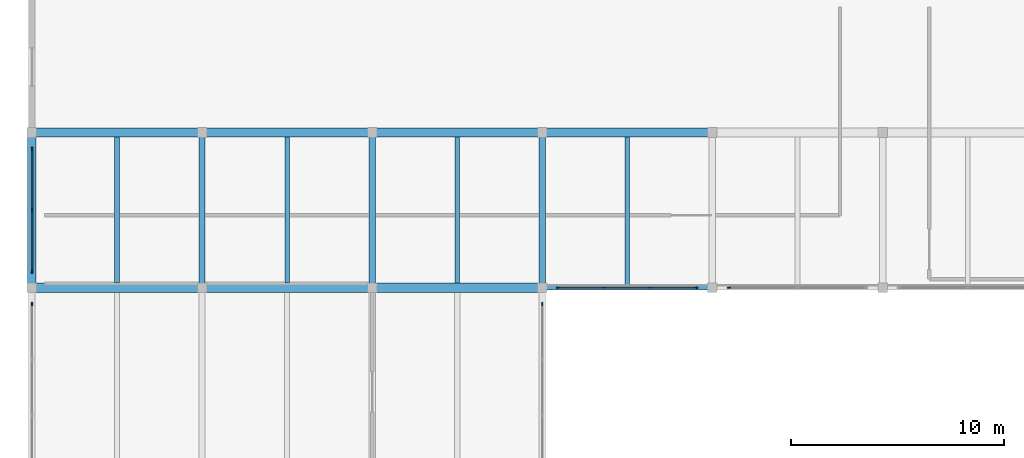
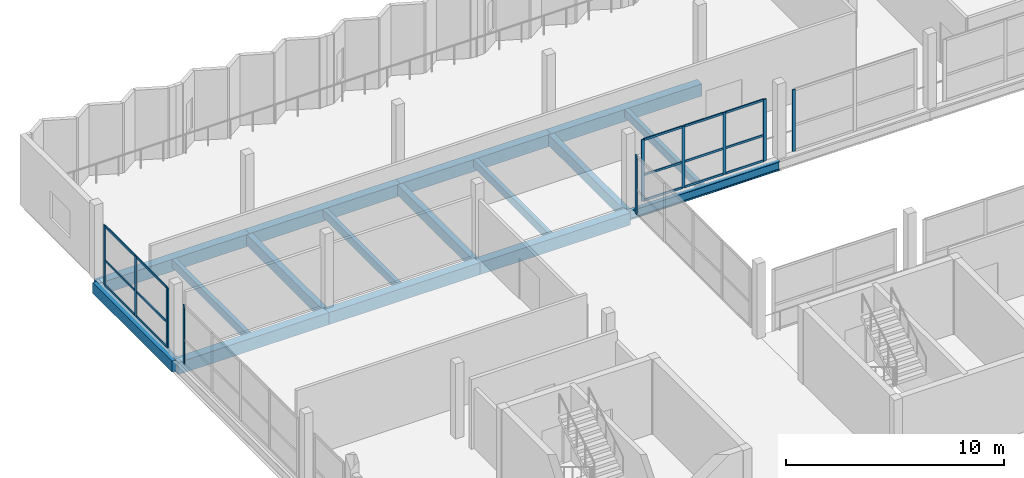
# One storey, part 23 of 53: 25 members, 16 beams, 5 elements without a shape of their own.
"""IFC4 building model written with IfcOpenShell, lengths in metres."""

import ifcopenshell
import ifcopenshell.guid

model = None  # the IFC model being written
_history = None  # IfcOwnerHistory: only IFC2X3 demands one
_inside = {}  # id of a spatial element -> (the spatial element, [elements in it])
_under = {}  # id of a project, library or spatial element -> (it, [spatial elements below it])
_declared = {}  # id of a project -> (the project, [libraries it declares])
_typed = {}  # id of a type object -> (the type object, [elements of that type])
_made_of = {}  # id of a material, layer set ... -> (it, [elements and type objects made of it])


def new_model(schema):
    """Start an empty IFC model of exactly this schema.

    Asked for "IFC4X3", IfcOpenShell would pick the latest addendum, in which some entities
    have other attributes; the version numbers below select the first issue.
    IFC2X3 requires an IfcOwnerHistory on every rooted entity: one is made here for all.
    """
    global model, _history
    if schema == "IFC4X3":
        model = ifcopenshell.file(schema_version=(4, 3, 0, 0))
    else:
        model = ifcopenshell.file(schema=schema)
    _inside.clear()
    _under.clear()
    _declared.clear()
    _typed.clear()
    _made_of.clear()
    _history = None
    if model.schema == "IFC2X3":
        org = make("IfcOrganization", Name="unknown")
        user = make(
            "IfcPersonAndOrganization",
            ThePerson=make("IfcPerson", FamilyName="unknown"),
            TheOrganization=org,
        )
        app = make(
            "IfcApplication",
            ApplicationDeveloper=org,
            Version="unknown",
            ApplicationFullName="unknown",
            ApplicationIdentifier="unknown",
        )
        _history = make(
            "IfcOwnerHistory",
            OwningUser=user,
            OwningApplication=app,
            ChangeAction="ADDED",
            CreationDate=0,
        )
    return model


def make(cls, **values):
    """One entity of the class cls with the attributes given. An attribute that is None is left unset."""
    return model.create_entity(
        cls, **{name: value for name, value in values.items() if value is not None}
    )


def rooted(cls, **values):
    """An entity with a GlobalId (a new one), such as an element, a storey or a relation."""
    return make(cls, GlobalId=ifcopenshell.guid.new(), OwnerHistory=_history, **values)


def si_unit(unit_type, name, prefix=None):
    """IfcSIUnit, for example si_unit("LENGTHUNIT", "METRE", prefix="MILLI")."""
    return make("IfcSIUnit", UnitType=unit_type, Prefix=prefix, Name=name)


def assignment(units):
    """IfcUnitAssignment: the units of a project."""
    return None if units is None else make("IfcUnitAssignment", Units=units)


def point(xyz):
    """IfcCartesianPoint."""
    return None if xyz is None else make("IfcCartesianPoint", Coordinates=xyz)


def direction(xyz):
    """IfcDirection."""
    return None if xyz is None else make("IfcDirection", DirectionRatios=xyz)


def frame(location, z_axis=None, x_axis=None):
    """IfcAxis2Placement3D, a coordinate frame: its origin and axes. An axis left out is left unset."""
    return make(
        "IfcAxis2Placement3D",
        Location=point(location),
        Axis=direction(z_axis),
        RefDirection=direction(x_axis),
    )


def frame_2d(location, x_axis=None):
    """IfcAxis2Placement2D, a coordinate frame in the plane: its origin and x axis."""
    return make(
        "IfcAxis2Placement2D", Location=point(location), RefDirection=direction(x_axis)
    )


def origin():
    """The frame at (0, 0, 0) with its axes left unset."""
    return frame((0.0, 0.0, 0.0))


def origin_2d():
    """The frame at (0, 0) in the plane with its x axis left unset."""
    return frame_2d((0.0, 0.0))


def place(relative_to, where):
    """IfcLocalPlacement: puts the frame where relative to a parent placement (None: the world)."""
    return make(
        "IfcLocalPlacement", PlacementRelTo=relative_to, RelativePlacement=where
    )


def context(
    kind, dimensions, precision=None, world=None, true_north=None, identifier=None
):
    """IfcGeometricRepresentationContext, for example the 3D "Model" context."""
    return make(
        "IfcGeometricRepresentationContext",
        ContextIdentifier=identifier,
        ContextType=kind,
        CoordinateSpaceDimension=dimensions,
        Precision=precision,
        WorldCoordinateSystem=world,
        TrueNorth=true_north,
    )


def subcontext(parent, identifier, kind, view, scale=None):
    """IfcGeometricRepresentationSubContext, for example "Body" below "Model"."""
    return make(
        "IfcGeometricRepresentationSubContext",
        ContextIdentifier=identifier,
        ContextType=kind,
        ParentContext=parent,
        TargetScale=scale,
        TargetView=view,
    )


def project(units=None, contexts=None):
    """IfcProject with its units and contexts."""
    return rooted(
        "IfcProject",
        Name="project",
        RepresentationContexts=contexts,
        UnitsInContext=assignment(units),
    )


def spatial(cls, under=None, at=None, **own):
    """A site, building, storey or space (cls), placed at a placement, below another one or the project."""
    s = rooted(cls, ObjectPlacement=at, **own)
    if under is not None:
        _under.setdefault(under.id(), (under, []))[1].append(s)
    return s


def profile(cls, at=None, kind="AREA", **sizes):
    """A parametric profile (cls). Its sizes go by their IFC names, for example OverallWidth=200.0."""
    return make(cls, ProfileType=kind, Position=at, **sizes)


def rectangle(**sizes):
    """IfcRectangleProfileDef."""
    return profile("IfcRectangleProfileDef", **sizes)


def i_section(**sizes):
    """IfcIShapeProfileDef."""
    return profile("IfcIShapeProfileDef", **sizes)


def extrude(swept, where, along, depth):
    """IfcExtrudedAreaSolid: the profile swept, set in the frame where, extruded along a direction by depth."""
    return make(
        "IfcExtrudedAreaSolid",
        SweptArea=swept,
        Position=where,
        ExtrudedDirection=direction(along),
        Depth=depth,
    )


def shape(context_of_items, identifier, shape_type, items):
    """IfcShapeRepresentation: the items that make up one representation, for example the "Body"."""
    return make(
        "IfcShapeRepresentation",
        ContextOfItems=context_of_items,
        RepresentationIdentifier=identifier,
        RepresentationType=shape_type,
        Items=items,
    )


def material(Name=None, Category=None):
    """IfcMaterial."""
    return make("IfcMaterial", Name=Name, Category=Category)


def material_profile(
    of_material, cross_section, Name=None, Category=None, Priority=None
):
    """IfcMaterialProfile: a cross section and its material."""
    return make(
        "IfcMaterialProfile",
        Name=Name,
        Material=of_material,
        Profile=cross_section,
        Priority=Priority,
        Category=Category,
    )


def profile_set(profiles, Name=None, composite=None):
    """IfcMaterialProfileSet."""
    return make(
        "IfcMaterialProfileSet",
        Name=Name,
        MaterialProfiles=profiles,
        CompositeProfile=composite,
    )


def made_of(thing, what):
    """Note that an element or type object is made of a material, layer set ...; save() writes the relation."""
    if what is not None:
        _made_of.setdefault(what.id(), (what, []))[1].append(thing)
    return thing


def type_object(cls, material=None, **own):
    """A type object (cls), such as IfcWallType, which elements share."""
    return made_of(rooted(cls, **own), material)


def element(
    cls,
    number,
    at=None,
    inside=None,
    cuts=None,
    type_object=None,
    material=None,
    context=None,
    identifier="Body",
    shape_type=None,
    held_by="IfcProductDefinitionShape",
    body=None,
    shapes=None,
    **own,
):
    """One element of the class cls, such as IfcWall. Its Tag is "e" and its number.

    at: its placement. inside: the storey or other place that contains it. cuts: it is an
    opening in that element (IfcRelVoidsElement). A single representation is given by context,
    identifier, shape_type and body (its items); several are given by shapes. held_by: the class
    of the entity that holds the representations. save() writes the other relations.
    """
    e = rooted(cls, Tag="e%d" % number, ObjectPlacement=at, **own)
    if body is not None:
        shapes = [shape(context, identifier, shape_type, body)]
    if shapes is not None:
        e.Representation = make(held_by, Representations=shapes)
    if inside is not None:
        _inside.setdefault(inside.id(), (inside, []))[1].append(e)
    if cuts is not None:
        rooted(
            "IfcRelVoidsElement", RelatingBuildingElement=cuts, RelatedOpeningElement=e
        )
    if type_object is not None:
        _typed.setdefault(type_object.id(), (type_object, []))[1].append(e)
    return made_of(e, material)


def aggregate(whole, parts):
    """IfcRelAggregates: a whole, such as a stair, and the parts it consists of."""
    return rooted("IfcRelAggregates", RelatingObject=whole, RelatedObjects=parts)


def save(model, path):
    """Write the relations noted so far, then the file.

    IfcRelAggregates (storeys below a building ...), IfcRelContainedInSpatialStructure (elements
    in a storey), IfcRelDefinesByType, IfcRelAssociatesMaterial and IfcRelDeclares: one each for
    every whole, place, type object, material and project.
    """
    for whole, parts in _under.values():
        aggregate(whole, parts)
    for where, things in _inside.values():
        rooted(
            "IfcRelContainedInSpatialStructure",
            RelatedElements=things,
            RelatingStructure=where,
        )
    for kind, things in _typed.values():
        rooted("IfcRelDefinesByType", RelatedObjects=things, RelatingType=kind)
    for what, things in _made_of.values():
        rooted("IfcRelAssociatesMaterial", RelatedObjects=things, RelatingMaterial=what)
    for by, libraries in _declared.values():
        rooted("IfcRelDeclares", RelatingContext=by, RelatedDefinitions=libraries)
    model.write(path)


model = new_model("IFC4")

# Units and contexts
model_context = context("Model", 3, precision=1e-05, world=origin(), true_north=direction((0.0, 1.0)))
body_context = subcontext(model_context, "Body", "Model", "MODEL_VIEW")
ifc_project = project(units=[si_unit("LENGTHUNIT", "METRE"), si_unit("AREAUNIT", "SQUARE_METRE"), si_unit("VOLUMEUNIT", "CUBIC_METRE"), si_unit("PLANEANGLEUNIT", "RADIAN"), si_unit("MASSUNIT", "GRAM", prefix="KILO")], contexts=[model_context])

# Site, building, storey
site_placement = place(None, origin())
site = spatial("IfcSite", under=ifc_project, at=site_placement, CompositionType="ELEMENT")
building_placement = place(site_placement, origin())
building = spatial("IfcBuilding", under=site, at=building_placement, Name="Vharandega Faculty of Natural Sciences", CompositionType="ELEMENT")
storey_placement = place(building_placement, frame((0.0, 0.0, 10.199951171875)))
storey = spatial("IfcBuildingStorey", under=building, at=storey_placement, Name="L02", CompositionType="ELEMENT", Elevation=10.199951171875)

# Curtain wall, member
ifc_material_1 = material(Name="Aluminium and solar-control glass curtain wall", Category="aluminium")
curtain_wall_type_1 = type_object("IfcCurtainWallType", Name="Unitised Curtain Wall System CW-27", PredefinedType="NOTDEFINED", material=ifc_material_1)
curtain_wall_1_placement = place(storey_placement, origin())
curtain_wall_1 = element("IfcCurtainWall", 1, at=curtain_wall_1_placement, inside=storey, type_object=curtain_wall_type_1, Name="Curtain Wall CW-L02-054", PredefinedType="NOTDEFINED")
ifc_material_2 = material(Name="Thermally broken aluminium 6063-T6", Category="aluminium")
ifc_material_profile_1 = material_profile(ifc_material_2, rectangle(XDim=0.06005859375, YDim=0.159912109375, at=origin_2d()), Name="ALU 60x160")
ifc_profile_set_1 = profile_set([ifc_material_profile_1], Name="Thermally broken aluminium 6063-T6")
member_type_1 = type_object("IfcMemberType", Name="CW Mullion 60x160", PredefinedType="MULLION", material=ifc_profile_set_1)
member_1_placement = place(storey_placement, frame((0.0, 96.22998046875, 0.0), z_axis=(0.0, 0.0, 1.0), x_axis=(-1.0, 0.0, 0.0)))
member_1 = element("IfcMember", 2, at=member_1_placement, type_object=member_type_1, Name="CW-27 mullion 5", PredefinedType="MULLION", context=body_context, shape_type="SweptSolid", body=[
    extrude(rectangle(XDim=0.06005859375, YDim=0.159912109375, at=origin_2d()), origin(), (0.0, 0.0, 1.0), 3.31005859375),
])
aggregate(curtain_wall_1, [member_1])

# Curtain wall, members
ifc_material_3 = material(Name="Aluminium and solar-control glass curtain wall", Category="aluminium")
curtain_wall_type_2 = type_object("IfcCurtainWallType", Name="Unitised Curtain Wall System CW-28", PredefinedType="NOTDEFINED", material=ifc_material_3)
curtain_wall_2_placement = place(storey_placement, origin())
curtain_wall_2 = element("IfcCurtainWall", 3, at=curtain_wall_2_placement, inside=storey, type_object=curtain_wall_type_2, Name="Curtain Wall CW-L02-055", PredefinedType="NOTDEFINED")
member_2_placement = place(storey_placement, frame((0.0, 97.77001953125, 0.0), z_axis=(0.0, 0.0, 1.0), x_axis=(-1.0, 0.0, 0.0)))
member_2 = element("IfcMember", 4, at=member_2_placement, type_object=member_type_1, Name="CW-28 mullion 1", PredefinedType="MULLION", context=body_context, shape_type="SweptSolid", body=[
    extrude(rectangle(XDim=0.06005859375, YDim=0.159912109375, at=origin_2d()), origin(), (0.0, 0.0, 1.0), 3.360107421875),
])
member_3_placement = place(storey_placement, frame((0.0, 100.64990234375, 0.0), z_axis=(0.0, 0.0, 1.0), x_axis=(-1.0, 0.0, 0.0)))
member_3 = element("IfcMember", 5, at=member_3_placement, type_object=member_type_1, Name="CW-28 mullion 2", PredefinedType="MULLION", context=body_context, shape_type="SweptSolid", body=[
    extrude(rectangle(XDim=0.06005859375, YDim=0.159912109375, at=origin_2d()), origin(), (0.0, 0.0, 1.0), 3.360107421875),
])
member_4_placement = place(storey_placement, frame((0.0, 103.530029296875, 0.0), z_axis=(0.0, 0.0, 1.0), x_axis=(-1.0, 0.0, 0.0)))
member_4 = element("IfcMember", 6, at=member_4_placement, type_object=member_type_1, Name="CW-28 mullion 3", PredefinedType="MULLION", context=body_context, shape_type="SweptSolid", body=[
    extrude(rectangle(XDim=0.06005859375, YDim=0.159912109375, at=origin_2d()), origin(), (0.0, 0.0, 1.0), 3.360107421875),
])

ifc_material_4 = material(Name="Aluminium and solar-control glass curtain wall", Category="aluminium")
curtain_wall_type_3 = type_object("IfcCurtainWallType", Name="Unitised Curtain Wall System CW-01", PredefinedType="NOTDEFINED", material=ifc_material_4)
curtain_wall_3_placement = place(storey_placement, origin())
curtain_wall_3 = element("IfcCurtainWall", 7, at=curtain_wall_3_placement, inside=storey, type_object=curtain_wall_type_3, Name="Curtain Wall CW-L02-056", PredefinedType="NOTDEFINED")
member_5_placement = place(storey_placement, frame((24.77001953125, 97.0, 0.0), z_axis=(0.0, 0.0, 1.0), x_axis=(0.0, 1.0, 0.0)))
member_5 = element("IfcMember", 8, at=member_5_placement, type_object=member_type_1, Name="CW-01 mullion 1", PredefinedType="MULLION", context=body_context, shape_type="SweptSolid", body=[
    extrude(rectangle(XDim=0.06005859375, YDim=0.159912109375, at=origin_2d()), origin(), (0.0, 0.0, 1.0), 3.4599609375),
])
member_6_placement = place(storey_placement, frame((26.913330078125, 97.0, 0.0), z_axis=(0.0, 0.0, 1.0), x_axis=(0.0, 1.0, 0.0)))
member_6 = element("IfcMember", 9, at=member_6_placement, type_object=member_type_1, Name="CW-01 mullion 2", PredefinedType="MULLION", context=body_context, shape_type="SweptSolid", body=[
    extrude(rectangle(XDim=0.06005859375, YDim=0.159912109375, at=origin_2d()), origin(), (0.0, 0.0, 1.0), 3.4599609375),
])
member_7_placement = place(storey_placement, frame((29.086669921875, 97.0, 0.0), z_axis=(0.0, 0.0, 1.0), x_axis=(0.0, 1.0, 0.0)))
member_7 = element("IfcMember", 10, at=member_7_placement, type_object=member_type_1, Name="CW-01 mullion 3", PredefinedType="MULLION", context=body_context, shape_type="SweptSolid", body=[
    extrude(rectangle(XDim=0.06005859375, YDim=0.159912109375, at=origin_2d()), origin(), (0.0, 0.0, 1.0), 3.4599609375),
])
member_8_placement = place(storey_placement, frame((31.22998046875, 97.0, 0.0), z_axis=(0.0, 0.0, 1.0), x_axis=(0.0, 1.0, 0.0)))
member_8 = element("IfcMember", 11, at=member_8_placement, type_object=member_type_1, Name="CW-01 mullion 4", PredefinedType="MULLION", context=body_context, shape_type="SweptSolid", body=[
    extrude(rectangle(XDim=0.06005859375, YDim=0.159912109375, at=origin_2d()), origin(), (0.0, 0.0, 1.0), 3.4599609375),
])

# Curtain wall, member
ifc_material_5 = material(Name="Aluminium and solar-control glass curtain wall", Category="aluminium")
curtain_wall_type_4 = type_object("IfcCurtainWallType", Name="Unitised Curtain Wall System CW-02", PredefinedType="NOTDEFINED", material=ifc_material_5)
curtain_wall_4_placement = place(storey_placement, origin())
curtain_wall_4 = element("IfcCurtainWall", 12, at=curtain_wall_4_placement, inside=storey, type_object=curtain_wall_type_4, Name="Curtain Wall CW-L02-057", PredefinedType="NOTDEFINED")
member_9_placement = place(storey_placement, frame((32.77001953125, 97.0, 0.0), z_axis=(0.0, 0.0, 1.0), x_axis=(0.0, 1.0, 0.0)))
member_9 = element("IfcMember", 13, at=member_9_placement, type_object=member_type_1, Name="CW-02 mullion 1", PredefinedType="MULLION", context=body_context, shape_type="SweptSolid", body=[
    extrude(rectangle(XDim=0.06005859375, YDim=0.159912109375, at=origin_2d()), origin(), (0.0, 0.0, 1.0), 3.4599609375),
])
aggregate(curtain_wall_4, [member_9])

ifc_material_6 = material(Name="Aluminium and solar-control glass curtain wall", Category="aluminium")
curtain_wall_type_5 = type_object("IfcCurtainWallType", Name="Unitised Curtain Wall System CW-07", PredefinedType="NOTDEFINED", material=ifc_material_6)
curtain_wall_5_placement = place(storey_placement, origin())
curtain_wall_5 = element("IfcCurtainWall", 14, at=curtain_wall_5_placement, inside=storey, type_object=curtain_wall_type_5, Name="Curtain Wall CW-L02-062", PredefinedType="NOTDEFINED")
member_10_placement = place(storey_placement, frame((24.0, 96.22998046875, 0.0), z_axis=(0.0, 0.0, 1.0), x_axis=(-1.0, 0.0, 0.0)))
member_10 = element("IfcMember", 15, at=member_10_placement, type_object=member_type_1, Name="CW-07 mullion 5", PredefinedType="MULLION", context=body_context, shape_type="SweptSolid", body=[
    extrude(rectangle(XDim=0.06005859375, YDim=0.159912109375, at=origin_2d()), origin(), (0.0, 0.0, 1.0), 3.31005859375),
])
aggregate(curtain_wall_5, [member_10])

# Member
ifc_material_7 = material(Name="Thermally broken aluminium 6063-T6", Category="aluminium")
ifc_material_profile_2 = material_profile(ifc_material_7, rectangle(XDim=0.06005859375, YDim=0.1201171875, at=origin_2d()), Name="ALU 60x120")
ifc_profile_set_2 = profile_set([ifc_material_profile_2], Name="Thermally broken aluminium 6063-T6")
member_type_2 = type_object("IfcMemberType", Name="CW Transom 60x120", PredefinedType="USERDEFINED", material=ifc_profile_set_2)
member_11_placement = place(storey_placement, frame((0.0, 97.800048828125, 0.030029296875), z_axis=(0.0, 1.0, 0.0), x_axis=(-1.0, 0.0, 0.0)))
member_11 = element("IfcMember", 16, at=member_11_placement, type_object=member_type_2, Name="CW-28 transom 1.1", ObjectType="TRANSOM", PredefinedType="USERDEFINED", context=body_context, shape_type="SweptSolid", body=[
    extrude(rectangle(XDim=0.06005859375, YDim=0.1201171875, at=origin_2d()), origin(), (0.0, 0.0, 1.0), 2.820068359375),
])

member_12_placement = place(storey_placement, frame((0.0, 97.800048828125, 1.4111328125), z_axis=(0.0, 1.0, 0.0), x_axis=(-1.0, 0.0, 0.0)))
member_12 = element("IfcMember", 17, at=member_12_placement, type_object=member_type_2, Name="CW-28 transom 1.2", ObjectType="TRANSOM", PredefinedType="USERDEFINED", context=body_context, shape_type="SweptSolid", body=[
    extrude(rectangle(XDim=0.06005859375, YDim=0.1201171875, at=origin_2d()), origin(), (0.0, 0.0, 1.0), 2.820068359375),
])

member_13_placement = place(storey_placement, frame((0.0, 97.800048828125, 3.330078125), z_axis=(0.0, 1.0, 0.0), x_axis=(-1.0, 0.0, 0.0)))
member_13 = element("IfcMember", 18, at=member_13_placement, type_object=member_type_2, Name="CW-28 transom 1.3", ObjectType="TRANSOM", PredefinedType="USERDEFINED", context=body_context, shape_type="SweptSolid", body=[
    extrude(rectangle(XDim=0.06005859375, YDim=0.1201171875, at=origin_2d()), origin(), (0.0, 0.0, 1.0), 2.820068359375),
])

member_14_placement = place(storey_placement, frame((0.0, 100.679931640625, 0.030029296875), z_axis=(0.0, 1.0, 0.0), x_axis=(-1.0, 0.0, 0.0)))
member_14 = element("IfcMember", 19, at=member_14_placement, type_object=member_type_2, Name="CW-28 transom 2.1", ObjectType="TRANSOM", PredefinedType="USERDEFINED", context=body_context, shape_type="SweptSolid", body=[
    extrude(rectangle(XDim=0.06005859375, YDim=0.1201171875, at=origin_2d()), origin(), (0.0, 0.0, 1.0), 2.820068359375),
])

member_15_placement = place(storey_placement, frame((0.0, 100.679931640625, 1.4111328125), z_axis=(0.0, 1.0, 0.0), x_axis=(-1.0, 0.0, 0.0)))
member_15 = element("IfcMember", 20, at=member_15_placement, type_object=member_type_2, Name="CW-28 transom 2.2", ObjectType="TRANSOM", PredefinedType="USERDEFINED", context=body_context, shape_type="SweptSolid", body=[
    extrude(rectangle(XDim=0.06005859375, YDim=0.1201171875, at=origin_2d()), origin(), (0.0, 0.0, 1.0), 2.820068359375),
])

member_16_placement = place(storey_placement, frame((0.0, 100.679931640625, 3.330078125), z_axis=(0.0, 1.0, 0.0), x_axis=(-1.0, 0.0, 0.0)))
member_16 = element("IfcMember", 21, at=member_16_placement, type_object=member_type_2, Name="CW-28 transom 2.3", ObjectType="TRANSOM", PredefinedType="USERDEFINED", context=body_context, shape_type="SweptSolid", body=[
    extrude(rectangle(XDim=0.06005859375, YDim=0.1201171875, at=origin_2d()), origin(), (0.0, 0.0, 1.0), 2.820068359375),
])

aggregate(curtain_wall_2, [member_2, member_3, member_4, member_11, member_12, member_13, member_14, member_15, member_16])

member_17_placement = place(storey_placement, frame((24.800048828125, 97.0, 0.030029296875), z_axis=(1.0, 0.0, 0.0), x_axis=(0.0, 1.0, 0.0)))
member_17 = element("IfcMember", 22, at=member_17_placement, type_object=member_type_2, Name="CW-01 transom 1.1", ObjectType="TRANSOM", PredefinedType="USERDEFINED", context=body_context, shape_type="SweptSolid", body=[
    extrude(rectangle(XDim=0.06005859375, YDim=0.1201171875, at=origin_2d()), origin(), (0.0, 0.0, 1.0), 2.083251953125),
])

member_18_placement = place(storey_placement, frame((24.800048828125, 97.0, 1.453369140625), z_axis=(1.0, 0.0, 0.0), x_axis=(0.0, 1.0, 0.0)))
member_18 = element("IfcMember", 23, at=member_18_placement, type_object=member_type_2, Name="CW-01 transom 1.2", ObjectType="TRANSOM", PredefinedType="USERDEFINED", context=body_context, shape_type="SweptSolid", body=[
    extrude(rectangle(XDim=0.06005859375, YDim=0.1201171875, at=origin_2d()), origin(), (0.0, 0.0, 1.0), 2.083251953125),
])

member_19_placement = place(storey_placement, frame((24.800048828125, 97.0, 3.429931640625), z_axis=(1.0, 0.0, 0.0), x_axis=(0.0, 1.0, 0.0)))
member_19 = element("IfcMember", 24, at=member_19_placement, type_object=member_type_2, Name="CW-01 transom 1.3", ObjectType="TRANSOM", PredefinedType="USERDEFINED", context=body_context, shape_type="SweptSolid", body=[
    extrude(rectangle(XDim=0.06005859375, YDim=0.1201171875, at=origin_2d()), origin(), (0.0, 0.0, 1.0), 2.083251953125),
])

member_20_placement = place(storey_placement, frame((26.943359375, 97.0, 0.030029296875), z_axis=(1.0, 0.0, 0.0), x_axis=(0.0, 1.0, 0.0)))
member_20 = element("IfcMember", 25, at=member_20_placement, type_object=member_type_2, Name="CW-01 transom 2.1", ObjectType="TRANSOM", PredefinedType="USERDEFINED", context=body_context, shape_type="SweptSolid", body=[
    extrude(rectangle(XDim=0.06005859375, YDim=0.1201171875, at=origin_2d()), origin(), (0.0, 0.0, 1.0), 2.11328125),
])

member_21_placement = place(storey_placement, frame((26.943359375, 97.0, 1.453369140625), z_axis=(1.0, 0.0, 0.0), x_axis=(0.0, 1.0, 0.0)))
member_21 = element("IfcMember", 26, at=member_21_placement, type_object=member_type_2, Name="CW-01 transom 2.2", ObjectType="TRANSOM", PredefinedType="USERDEFINED", context=body_context, shape_type="SweptSolid", body=[
    extrude(rectangle(XDim=0.06005859375, YDim=0.1201171875, at=origin_2d()), origin(), (0.0, 0.0, 1.0), 2.11328125),
])

member_22_placement = place(storey_placement, frame((26.943359375, 97.0, 3.429931640625), z_axis=(1.0, 0.0, 0.0), x_axis=(0.0, 1.0, 0.0)))
member_22 = element("IfcMember", 27, at=member_22_placement, type_object=member_type_2, Name="CW-01 transom 2.3", ObjectType="TRANSOM", PredefinedType="USERDEFINED", context=body_context, shape_type="SweptSolid", body=[
    extrude(rectangle(XDim=0.06005859375, YDim=0.1201171875, at=origin_2d()), origin(), (0.0, 0.0, 1.0), 2.11328125),
])

member_23_placement = place(storey_placement, frame((29.11669921875, 97.0, 0.030029296875), z_axis=(1.0, 0.0, 0.0), x_axis=(0.0, 1.0, 0.0)))
member_23 = element("IfcMember", 28, at=member_23_placement, type_object=member_type_2, Name="CW-01 transom 3.1", ObjectType="TRANSOM", PredefinedType="USERDEFINED", context=body_context, shape_type="SweptSolid", body=[
    extrude(rectangle(XDim=0.06005859375, YDim=0.1201171875, at=origin_2d()), origin(), (0.0, 0.0, 1.0), 2.083251953125),
])

member_24_placement = place(storey_placement, frame((29.11669921875, 97.0, 1.453369140625), z_axis=(1.0, 0.0, 0.0), x_axis=(0.0, 1.0, 0.0)))
member_24 = element("IfcMember", 29, at=member_24_placement, type_object=member_type_2, Name="CW-01 transom 3.2", ObjectType="TRANSOM", PredefinedType="USERDEFINED", context=body_context, shape_type="SweptSolid", body=[
    extrude(rectangle(XDim=0.06005859375, YDim=0.1201171875, at=origin_2d()), origin(), (0.0, 0.0, 1.0), 2.083251953125),
])

member_25_placement = place(storey_placement, frame((29.11669921875, 97.0, 3.429931640625), z_axis=(1.0, 0.0, 0.0), x_axis=(0.0, 1.0, 0.0)))
member_25 = element("IfcMember", 30, at=member_25_placement, type_object=member_type_2, Name="CW-01 transom 3.3", ObjectType="TRANSOM", PredefinedType="USERDEFINED", context=body_context, shape_type="SweptSolid", body=[
    extrude(rectangle(XDim=0.06005859375, YDim=0.1201171875, at=origin_2d()), origin(), (0.0, 0.0, 1.0), 2.083251953125),
])

aggregate(curtain_wall_3, [member_5, member_6, member_7, member_8, member_17, member_18, member_19, member_20, member_21, member_22, member_23, member_24, member_25])

# Beams
ifc_material_8 = material(Name="Glulam GL28h", Category="wood")
ifc_material_profile_3 = material_profile(ifc_material_8, rectangle(XDim=0.300048828125, YDim=0.60009765625, at=origin_2d()), Name="GL28h 300x600")
ifc_profile_set_3 = profile_set([ifc_material_profile_3], Name="Glulam GL28h")
beam_type_1 = type_object("IfcBeamType", Name="Glulam Floor Beam 300x600", PredefinedType="BEAM", material=ifc_profile_set_3)
for number, where, z_axis, x_axis, name in (
    (31, (8.0, 97.0, -0.56005859375), (0.0, 1.0, 0.0), (-1.0, 0.0, 0.0), "Beam L02 2/N-P"),
    (32, (16.0, 97.0, -0.56005859375), (0.0, 1.0, 0.0), (-1.0, 0.0, 0.0), "Beam L02 3/N-P"),
    (33, (24.0, 97.0, -0.56005859375), (0.0, 1.0, 0.0), (-1.0, 0.0, 0.0), "Beam L02 4/N-P"),
):
    element("IfcBeam", number, at=place(storey_placement, frame(where, z_axis=z_axis, x_axis=x_axis)), inside=storey, type_object=beam_type_1, Name=name, PredefinedType="BEAM", context=body_context, shape_type="SweptSolid", body=[
        extrude(rectangle(XDim=0.300048828125, YDim=0.60009765625, at=origin_2d()), origin(), (0.0, 0.0, 1.0), 7.300048828125),
    ])
ifc_material_9 = material(Name="Glulam GL32h", Category="wood")
ifc_material_profile_4 = material_profile(ifc_material_9, rectangle(XDim=0.43994140625, YDim=0.679931640625, at=origin_2d()), Name="GL32h 440x680")
ifc_profile_set_4 = profile_set([ifc_material_profile_4], Name="Glulam GL32h")
beam_type_2 = type_object("IfcBeamType", Name="Glulam Girder 440x680", PredefinedType="BEAM", material=ifc_profile_set_4)
for number, where, z_axis, x_axis, name in (
    (34, (0.0, 97.0, -0.599853515625), (1.0, 0.0, 0.0), (0.0, 1.0, 0.0), "Beam L02 N/1-2"),
    (35, (8.0, 97.0, -0.599853515625), (1.0, 0.0, 0.0), (0.0, 1.0, 0.0), "Beam L02 N/2-3"),
    (36, (16.0, 97.0, -0.599853515625), (1.0, 0.0, 0.0), (0.0, 1.0, 0.0), "Beam L02 N/3-4"),
    (37, (0.0, 104.300048828125, -0.599853515625), (1.0, 0.0, 0.0), (0.0, 1.0, 0.0), "Beam L02 P/1-2"),
    (38, (8.0, 104.300048828125, -0.599853515625), (1.0, 0.0, 0.0), (0.0, 1.0, 0.0), "Beam L02 P/2-3"),
    (39, (16.0, 104.300048828125, -0.599853515625), (1.0, 0.0, 0.0), (0.0, 1.0, 0.0), "Beam L02 P/3-4"),
    (40, (24.0, 104.300048828125, -0.599853515625), (1.0, 0.0, 0.0), (0.0, 1.0, 0.0), "Beam L02 P/4-5"),
):
    element("IfcBeam", number, at=place(storey_placement, frame(where, z_axis=z_axis, x_axis=x_axis)), inside=storey, type_object=beam_type_2, Name=name, PredefinedType="BEAM", context=body_context, shape_type="SweptSolid", body=[
        extrude(rectangle(XDim=0.43994140625, YDim=0.679931640625, at=origin_2d()), origin(), (0.0, 0.0, 1.0), 8.0),
    ])
ifc_material_10 = material(Name="Glulam GL28h", Category="wood")
ifc_material_profile_5 = material_profile(ifc_material_10, rectangle(XDim=0.219970703125, YDim=0.43994140625, at=origin_2d()), Name="GL28h 220x440")
ifc_profile_set_5 = profile_set([ifc_material_profile_5], Name="Glulam GL28h")
beam_type_3 = type_object("IfcBeamType", Name="Glulam Secondary Joist 220x440", PredefinedType="JOIST", material=ifc_profile_set_5)
for number, where, z_axis, x_axis, name in (
    (41, (4.0, 97.219970703125, -0.47998046875), (0.0, 1.0, 0.0), (-1.0, 0.0, 0.0), "Secondary Joist L02 1-2/N-P"),
    (42, (12.0, 97.219970703125, -0.47998046875), (0.0, 1.0, 0.0), (-1.0, 0.0, 0.0), "Secondary Joist L02 2-3/N-P"),
    (43, (20.0, 97.219970703125, -0.47998046875), (0.0, 1.0, 0.0), (-1.0, 0.0, 0.0), "Secondary Joist L02 3-4/N-P"),
):
    element("IfcBeam", number, at=place(storey_placement, frame(where, z_axis=z_axis, x_axis=x_axis)), inside=storey, type_object=beam_type_3, Name=name, PredefinedType="JOIST", context=body_context, shape_type="SweptSolid", body=[
        extrude(rectangle(XDim=0.219970703125, YDim=0.43994140625, at=origin_2d()), origin(), (0.0, 0.0, 1.0), 6.860107421875),
    ])
beam_1_placement = place(storey_placement, frame((28.0, 97.10009765625, -0.47998046875), z_axis=(0.0, 1.0, 0.0), x_axis=(-1.0, 0.0, 0.0)))
element("IfcBeam", 44, at=beam_1_placement, inside=storey, type_object=beam_type_3, Name="Secondary Joist L02 4-5/N-P", PredefinedType="JOIST", context=body_context, shape_type="SweptSolid", body=[
    extrude(rectangle(XDim=0.219970703125, YDim=0.43994140625, at=origin_2d()), origin(), (0.0, 0.0, 1.0), 6.97998046875),
])
ifc_material_11 = material(Name="Glulam GL32h", Category="wood")
ifc_material_profile_6 = material_profile(ifc_material_11, rectangle(XDim=0.39990234375, YDim=0.60009765625, at=origin_2d()), Name="GL32h 400x600")
ifc_profile_set_6 = profile_set([ifc_material_profile_6], Name="Glulam GL32h")
beam_type_4 = type_object("IfcBeamType", Name="Glulam Spine Girder 400x600", PredefinedType="BEAM", material=ifc_profile_set_6)
beam_2_placement = place(storey_placement, frame((0.0, 97.0, -0.56005859375), z_axis=(0.0, 1.0, 0.0), x_axis=(-1.0, 0.0, 0.0)))
element("IfcBeam", 45, at=beam_2_placement, inside=storey, type_object=beam_type_4, Name="Beam L02 1/N-P", PredefinedType="BEAM", context=body_context, shape_type="SweptSolid", body=[
    extrude(rectangle(XDim=0.39990234375, YDim=0.60009765625, at=origin_2d()), origin(), (0.0, 0.0, 1.0), 7.300048828125),
])
ifc_material_12 = material(Name="Steel S355", Category="steel")
ifc_material_profile_7 = material_profile(ifc_material_12, i_section(OverallWidth=0.199951171875, OverallDepth=0.5, WebThickness=0.01025390625, FlangeThickness=0.01611328125, FilletRadius=0.02099609375, at=origin_2d()), Name="IPE 500")
ifc_profile_set_7 = profile_set([ifc_material_profile_7], Name="Steel S355")
beam_type_5 = type_object("IfcBeamType", Name="Steel Spandrel Beam IPE 500", PredefinedType="SPANDREL", material=ifc_profile_set_7)
beam_3_placement = place(storey_placement, frame((24.0, 97.0, -0.510009765625), z_axis=(1.0, 0.0, 0.0), x_axis=(0.0, 1.0, 0.0)))
element("IfcBeam", 46, at=beam_3_placement, inside=storey, type_object=beam_type_5, Name="Beam L02 N/4-5", PredefinedType="SPANDREL", context=body_context, shape_type="SweptSolid", body=[
    extrude(i_section(OverallWidth=0.199951171875, OverallDepth=0.5, WebThickness=0.01025390625, FlangeThickness=0.01611328125, FilletRadius=0.02099609375, at=origin_2d()), origin(), (0.0, 0.0, 1.0), 8.0),
])

save(model, "model.ifc")
